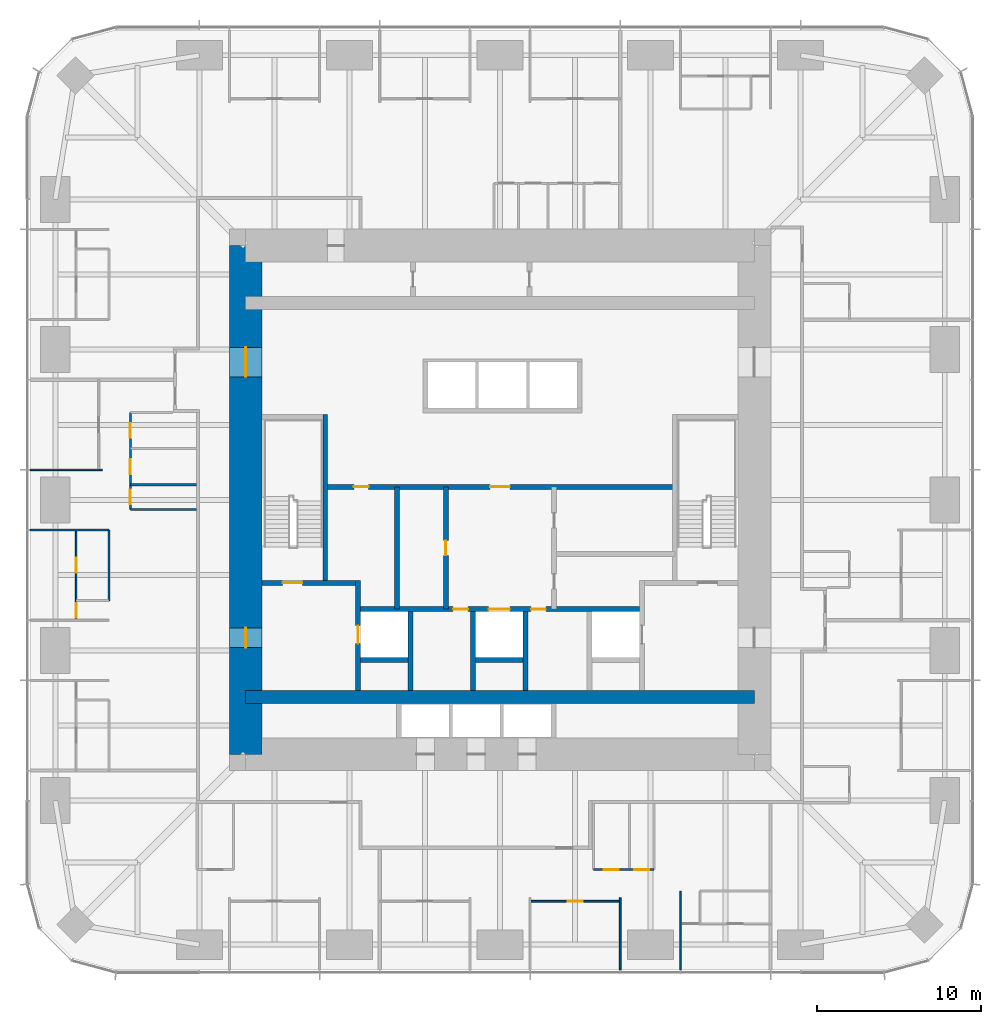
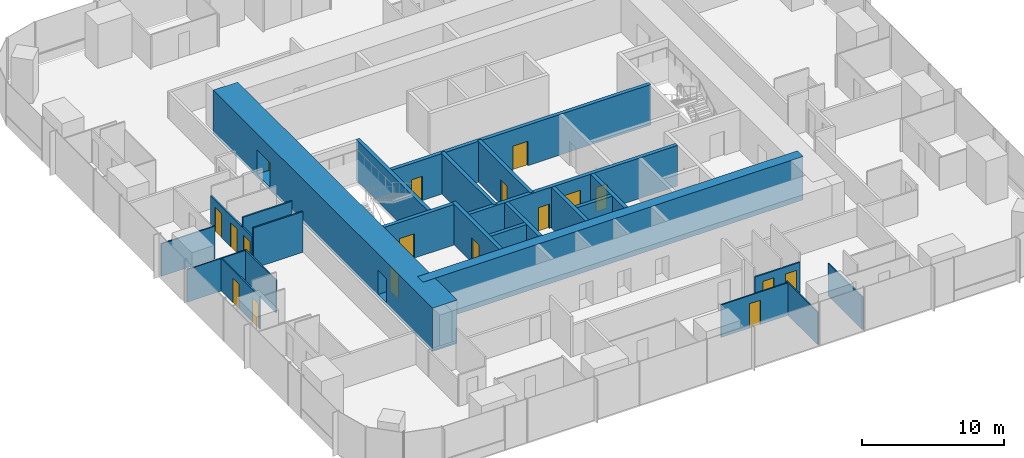
# One storey, part 9 of 13: 25 walls, 18 doors, 18 openings.
"""IFC4 building model written with IfcOpenShell, lengths in metres."""

from ifc_helpers import new_model, si_unit, direction, frame, frame_2d, origin, place, context, subcontext, project, spatial, rectangle, extrude, material, layer, layer_set, type_object, element, fill, save


model = new_model("IFC4")

# Units and contexts
model_context = context("Model", 3, precision=1e-05, world=origin(), true_north=direction((0.0, 1.0)))
body_context = subcontext(model_context, "Body", "Model", "MODEL_VIEW")
ifc_project = project(units=[si_unit("LENGTHUNIT", "METRE"), si_unit("AREAUNIT", "SQUARE_METRE"), si_unit("VOLUMEUNIT", "CUBIC_METRE"), si_unit("PLANEANGLEUNIT", "RADIAN"), si_unit("MASSUNIT", "GRAM", prefix="KILO")], contexts=[model_context])

# Site, building, storey
site_placement = place(None, origin())
site = spatial("IfcSite", under=ifc_project, at=site_placement, CompositionType="ELEMENT")
building_placement = place(site_placement, origin())
building = spatial("IfcBuilding", under=site, at=building_placement, Name="Khuree Lantern Residences", CompositionType="ELEMENT")
storey_placement = place(building_placement, frame((0.0, 0.0, 144.75)))
storey = spatial("IfcBuildingStorey", under=building, at=storey_placement, Name="L36", CompositionType="ELEMENT", Elevation=144.75)

# Wall, openings, doors
ifc_material_1 = material(Name="Moisture-resistant gypsum board on steel studs", Category="steel")
ifc_layer_1 = layer(ifc_material_1, 0.125)
ifc_layer_set_1 = layer_set([ifc_layer_1], Name="BATHROOM WALL BTW125")
wall_type_1 = type_object("IfcWallType", Name="BATHROOM WALL BTW125", PredefinedType="PARTITIONING", material=ifc_layer_set_1)
wall_1_placement = place(storey_placement, frame((-22.52978515625, 5.327880859375, 0.0), z_axis=(0.0, 0.0, 1.0), x_axis=(0.0, -1.0, 0.0)))
wall_1 = element("IfcWall", 1, at=wall_1_placement, inside=storey, type_object=wall_type_1, Name="L36 BATHROOM WALL 04", PredefinedType="PARTITIONING", context=body_context, shape_type="SweptSolid", body=[
    extrude(rectangle(XDim=5.89990234375, YDim=0.125, at=frame_2d((2.949951171875, 0.0))), origin(), (0.0, 0.0, 1.0), 2.699951171875),
])
opening_1_placement = place(wall_1_placement, frame((0.64990234375, 0.0, 0.0)))
opening_1 = element("IfcOpeningElement", 2, at=opening_1_placement, cuts=wall_1, Name="Opening 36-045", PredefinedType="OPENING", context=body_context, shape_type="SweptSolid", body=[
    extrude(rectangle(XDim=0.89990234375, YDim=2.10009765625, at=frame_2d((0.449951171875, 1.050048828125))), frame((0.0, 0.072509765625, 0.0), z_axis=(0.0, -1.0, 0.0), x_axis=(1.0, 0.0, 0.0)), (0.0, 0.0, 1.0), 0.14501953125),
])
opening_2_placement = place(wall_1_placement, frame((2.85009765625, 0.0, 0.0)))
opening_2 = element("IfcOpeningElement", 3, at=opening_2_placement, cuts=wall_1, Name="Opening 36-046", PredefinedType="OPENING", context=body_context, shape_type="SweptSolid", body=[
    extrude(rectangle(XDim=0.89990234375, YDim=2.10009765625, at=frame_2d((0.449951171875, 1.050048828125))), frame((0.0, 0.072509765625, 0.0), z_axis=(0.0, -1.0, 0.0), x_axis=(1.0, 0.0, 0.0)), (0.0, 0.0, 1.0), 0.14501953125),
])
opening_3_placement = place(wall_1_placement, frame((4.699951171875, 0.0, 0.0)))
opening_3 = element("IfcOpeningElement", 4, at=opening_3_placement, cuts=wall_1, Name="Opening 36-047", PredefinedType="OPENING", context=body_context, shape_type="SweptSolid", body=[
    extrude(rectangle(XDim=0.89990234375, YDim=2.10009765625, at=frame_2d((0.449951171875, 1.050048828125))), frame((0.0, 0.072509765625, 0.0), z_axis=(0.0, -1.0, 0.0), x_axis=(1.0, 0.0, 0.0)), (0.0, 0.0, 1.0), 0.14501953125),
])
ifc_material_2 = material(Name="Timber door leaf in hardwood frame", Category="wood")
door_type_1 = type_object("IfcDoorType", Name="BATHROOM DOOR 900X2100", OperationType="SINGLE_SWING_LEFT", PredefinedType="DOOR", material=ifc_material_2)
door_1_placement = place(opening_1_placement, origin())
door_1 = element("IfcDoor", 5, at=door_1_placement, inside=storey, type_object=door_type_1, Name="Bathroom door 36-045", OperationType="SINGLE_SWING_LEFT", OverallHeight=2.10009765625, OverallWidth=0.89990234375, PredefinedType="DOOR", context=body_context, shape_type="SweptSolid", body=[
    extrude(rectangle(XDim=0.89990234375, YDim=2.10009765625, at=frame_2d((0.449951171875, 1.050048828125))), frame((0.0, 0.02490234375, 0.0), z_axis=(0.0, -1.0, 0.0), x_axis=(1.0, 0.0, 0.0)), (0.0, 0.0, 1.0), 0.050048828125),
])
fill(opening_1, door_1)
door_2_placement = place(opening_2_placement, origin())
door_2 = element("IfcDoor", 6, at=door_2_placement, inside=storey, type_object=door_type_1, Name="Bathroom door 36-046", OperationType="SINGLE_SWING_LEFT", OverallHeight=2.10009765625, OverallWidth=0.89990234375, PredefinedType="DOOR", context=body_context, shape_type="SweptSolid", body=[
    extrude(rectangle(XDim=0.89990234375, YDim=2.10009765625, at=frame_2d((0.449951171875, 1.050048828125))), frame((0.0, 0.02490234375, 0.0), z_axis=(0.0, -1.0, 0.0), x_axis=(1.0, 0.0, 0.0)), (0.0, 0.0, 1.0), 0.050048828125),
])
fill(opening_2, door_2)
door_type_2 = type_object("IfcDoorType", Name="WC DOOR 900X2100", OperationType="SINGLE_SWING_LEFT", PredefinedType="DOOR", material=ifc_material_2)
door_3_placement = place(opening_3_placement, origin())
door_3 = element("IfcDoor", 7, at=door_3_placement, inside=storey, type_object=door_type_2, Name="WC door 36-047", OperationType="SINGLE_SWING_LEFT", OverallHeight=2.10009765625, OverallWidth=0.89990234375, PredefinedType="DOOR", context=body_context, shape_type="SweptSolid", body=[
    extrude(rectangle(XDim=0.89990234375, YDim=2.10009765625, at=frame_2d((0.449951171875, 1.050048828125))), frame((0.0, 0.02490234375, 0.0), z_axis=(0.0, -1.0, 0.0), x_axis=(1.0, 0.0, 0.0)), (0.0, 0.0, 1.0), 0.050048828125),
])
fill(opening_3, door_3)

# Walls
for number, where, z_axis, x_axis, name in (
    (8, (-18.5, 0.927978515625, 0.0), (0.0, 0.0, 1.0), (-1.0, 0.0, 0.0), "L36 BATHROOM WALL 04"),
    (9, (-18.5, -0.572021484375, 0.0), (0.0, 0.0, 1.0), (-1.0, 0.0, 0.0), "L36 BATHROOM WALL 04"),
):
    element("IfcWall", number, at=place(storey_placement, frame(where, z_axis=z_axis, x_axis=x_axis)), inside=storey, type_object=wall_type_1, Name=name, PredefinedType="PARTITIONING", context=body_context, shape_type="SweptSolid", body=[
        extrude(rectangle(XDim=4.02978515625, YDim=0.125, at=frame_2d((2.014892578125, 0.0))), origin(), (0.0, 0.0, 1.0), 3.5),
    ])

# Wall, openings, doors
wall_2_placement = place(storey_placement, frame((5.68359375, -22.52978515625, 0.0), z_axis=(0.0, 0.0, 1.0), x_axis=(1.0, 0.0, 0.0)))
wall_2 = element("IfcWall", 10, at=wall_2_placement, inside=storey, type_object=wall_type_1, Name="L36 BATHROOM WALL 06", PredefinedType="PARTITIONING", context=body_context, shape_type="SweptSolid", body=[
    extrude(rectangle(XDim=3.699951171875, YDim=0.125, at=frame_2d((1.85009765625, 0.0))), origin(), (0.0, 0.0, 1.0), 2.699951171875),
])
opening_4_placement = place(wall_2_placement, frame((0.64990234375, 0.0, 0.0)))
opening_4 = element("IfcOpeningElement", 11, at=opening_4_placement, cuts=wall_2, Name="Opening 36-056", PredefinedType="OPENING", context=body_context, shape_type="SweptSolid", body=[
    extrude(rectangle(XDim=0.89990234375, YDim=2.10009765625, at=frame_2d((0.449951171875, 1.050048828125))), frame((0.0, 0.072509765625, 0.0), z_axis=(0.0, -1.0, 0.0), x_axis=(1.0, 0.0, 0.0)), (0.0, 0.0, 1.0), 0.14501953125),
])
opening_5_placement = place(wall_2_placement, frame((2.5, 0.0, 0.0)))
opening_5 = element("IfcOpeningElement", 12, at=opening_5_placement, cuts=wall_2, Name="Opening 36-057", PredefinedType="OPENING", context=body_context, shape_type="SweptSolid", body=[
    extrude(rectangle(XDim=0.89990234375, YDim=2.10009765625, at=frame_2d((0.449951171875, 1.050048828125))), frame((0.0, 0.072509765625, 0.0), z_axis=(0.0, -1.0, 0.0), x_axis=(1.0, 0.0, 0.0)), (0.0, 0.0, 1.0), 0.14501953125),
])
door_4_placement = place(opening_4_placement, origin())
door_4 = element("IfcDoor", 13, at=door_4_placement, inside=storey, type_object=door_type_1, Name="Bathroom door 36-056", OperationType="SINGLE_SWING_LEFT", OverallHeight=2.10009765625, OverallWidth=0.89990234375, PredefinedType="DOOR", context=body_context, shape_type="SweptSolid", body=[
    extrude(rectangle(XDim=0.89990234375, YDim=2.10009765625, at=frame_2d((0.449951171875, 1.050048828125))), frame((0.0, 0.02490234375, 0.0), z_axis=(0.0, -1.0, 0.0), x_axis=(1.0, 0.0, 0.0)), (0.0, 0.0, 1.0), 0.050048828125),
])
fill(opening_4, door_4)
door_5_placement = place(opening_5_placement, origin())
door_5 = element("IfcDoor", 14, at=door_5_placement, inside=storey, type_object=door_type_2, Name="WC door 36-057", OperationType="SINGLE_SWING_LEFT", OverallHeight=2.10009765625, OverallWidth=0.89990234375, PredefinedType="DOOR", context=body_context, shape_type="SweptSolid", body=[
    extrude(rectangle(XDim=0.89990234375, YDim=2.10009765625, at=frame_2d((0.449951171875, 1.050048828125))), frame((0.0, 0.02490234375, 0.0), z_axis=(0.0, -1.0, 0.0), x_axis=(1.0, 0.0, 0.0)), (0.0, 0.0, 1.0), 0.050048828125),
])
fill(opening_5, door_5)

# Wall, opening, door
ifc_material_3 = material(Name="Dense concrete blockwork", Category="masonry")
ifc_layer_2 = layer(ifc_material_3, 0.300048828125)
ifc_layer_set_2 = layer_set([ifc_layer_2], Name="CORE PARTITION WALL CPW300 EI 120")
wall_type_2 = type_object("IfcWallType", Name="CORE PARTITION WALL CPW300 EI 120", PredefinedType="PARTITIONING", material=ifc_layer_set_2)
wall_3_placement = place(storey_placement, frame((-8.64990234375, -11.60009765625, 0.0), z_axis=(0.0, 0.0, 1.0), x_axis=(0.0, 1.0, 0.0)))
wall_3 = element("IfcWall", 15, at=wall_3_placement, inside=storey, type_object=wall_type_2, Name="L36 CORE WALL FL1W", PredefinedType="PARTITIONING", context=body_context, shape_type="SweptSolid", body=[
    extrude(rectangle(XDim=6.7001953125, YDim=0.300048828125, at=frame_2d((3.35009765625, 0.0))), origin(), (0.0, 0.0, 1.0), 3.5),
])
opening_6_placement = place(wall_3_placement, frame((2.85009765625, 0.0, 0.0)))
opening_6 = element("IfcOpeningElement", 16, at=opening_6_placement, cuts=wall_3, Name="Opening 36-007", PredefinedType="OPENING", context=body_context, shape_type="SweptSolid", body=[
    extrude(rectangle(XDim=1.10009765625, YDim=2.10009765625, at=frame_2d((0.550048828125, 1.050048828125))), frame((0.0, 0.16015625, 0.0), z_axis=(0.0, -1.0, 0.0), x_axis=(1.0, 0.0, 0.0)), (0.0, 0.0, 1.0), 0.320068359375),
])
ifc_material_4 = material(Name="Stainless steel lift landing door", Category="steel")
door_type_3 = type_object("IfcDoorType", Name="LIFT LANDING DOOR 1100X2100 E 120", OperationType="DOUBLE_DOOR_SLIDING", PredefinedType="DOOR", material=ifc_material_4)
door_6_placement = place(opening_6_placement, origin())
door_6 = element("IfcDoor", 17, at=door_6_placement, inside=storey, type_object=door_type_3, Name="Landing door FL1 36-007", OperationType="DOUBLE_DOOR_SLIDING", OverallHeight=2.10009765625, OverallWidth=1.10009765625, PredefinedType="DOOR", context=body_context, shape_type="SweptSolid", body=[
    extrude(rectangle(XDim=1.10009765625, YDim=2.10009765625, at=frame_2d((0.550048828125, 1.050048828125))), frame((0.0, 0.02490234375, 0.0), z_axis=(0.0, -1.0, 0.0), x_axis=(1.0, 0.0, 0.0)), (0.0, 0.0, 1.0), 0.050048828125),
])
fill(opening_6, door_6)

# Wall, openings, doors
wall_4_placement = place(storey_placement, frame((-8.5, -6.64990234375, 0.0), z_axis=(0.0, 0.0, 1.0), x_axis=(1.0, 0.0, 0.0)))
wall_4 = element("IfcWall", 18, at=wall_4_placement, inside=storey, type_object=wall_type_2, Name="L36 CORE WALL FLROW", PredefinedType="PARTITIONING", context=body_context, shape_type="SweptSolid", body=[
    extrude(rectangle(XDim=17.0, YDim=0.300048828125, at=frame_2d((8.5, 0.0))), origin(), (0.0, 0.0, 1.0), 3.5),
])
opening_7_placement = place(wall_4_placement, frame((7.800048828125, 0.0, 0.0)))
opening_7 = element("IfcOpeningElement", 19, at=opening_7_placement, cuts=wall_4, Name="Opening 36-012", PredefinedType="OPENING", context=body_context, shape_type="SweptSolid", body=[
    extrude(rectangle(XDim=1.300048828125, YDim=2.39990234375, at=frame_2d((0.64990234375, 1.199951171875))), frame((0.0, 0.16015625, 0.0), z_axis=(0.0, -1.0, 0.0), x_axis=(1.0, 0.0, 0.0)), (0.0, 0.0, 1.0), 0.320068359375),
])
opening_8_placement = place(wall_4_placement, frame((5.64990234375, 0.0, 0.0)))
opening_8 = element("IfcOpeningElement", 20, at=opening_8_placement, cuts=wall_4, Name="Opening 36-014", PredefinedType="OPENING", context=body_context, shape_type="SweptSolid", body=[
    extrude(rectangle(XDim=0.89990234375, YDim=2.10009765625, at=frame_2d((0.449951171875, 1.050048828125))), frame((0.0, 0.16015625, 0.0), z_axis=(0.0, -1.0, 0.0), x_axis=(1.0, 0.0, 0.0)), (0.0, 0.0, 1.0), 0.320068359375),
])
opening_9_placement = place(wall_4_placement, frame((10.39990234375, 0.0, 0.0)))
opening_9 = element("IfcOpeningElement", 21, at=opening_9_placement, cuts=wall_4, Name="Opening 36-015", PredefinedType="OPENING", context=body_context, shape_type="SweptSolid", body=[
    extrude(rectangle(XDim=0.89990234375, YDim=2.10009765625, at=frame_2d((0.449951171875, 1.050048828125))), frame((0.0, 0.16015625, 0.0), z_axis=(0.0, -1.0, 0.0), x_axis=(1.0, 0.0, 0.0)), (0.0, 0.0, 1.0), 0.320068359375),
])
ifc_material_5 = material(Name="Steel door leaf in steel frame", Category="steel")
door_type_4 = type_object("IfcDoorType", Name="DOOR 900X2100 EI 60", OperationType="SINGLE_SWING_LEFT", PredefinedType="DOOR", material=ifc_material_5)
door_7_placement = place(opening_8_placement, origin())
door_7 = element("IfcDoor", 22, at=door_7_placement, inside=storey, type_object=door_type_4, Name="Refuse chute room door 36-014", OperationType="SINGLE_SWING_LEFT", OverallHeight=2.10009765625, OverallWidth=0.89990234375, PredefinedType="DOOR", context=body_context, shape_type="SweptSolid", body=[
    extrude(rectangle(XDim=0.89990234375, YDim=2.10009765625, at=frame_2d((0.449951171875, 1.050048828125))), frame((0.0, 0.02490234375, 0.0), z_axis=(0.0, -1.0, 0.0), x_axis=(1.0, 0.0, 0.0)), (0.0, 0.0, 1.0), 0.050048828125),
])
fill(opening_8, door_7)
door_type_5 = type_object("IfcDoorType", Name="DOOR 900X2100 EI 60 RIGHT HAND", OperationType="SINGLE_SWING_RIGHT", PredefinedType="DOOR", material=ifc_material_5)
door_8_placement = place(opening_9_placement, origin())
door_8 = element("IfcDoor", 23, at=door_8_placement, inside=storey, type_object=door_type_5, Name="Electrical and plumbing riser door 36-015", OperationType="SINGLE_SWING_RIGHT", OverallHeight=2.10009765625, OverallWidth=0.89990234375, PredefinedType="DOOR", context=body_context, shape_type="SweptSolid", body=[
    extrude(rectangle(XDim=0.89990234375, YDim=2.10009765625, at=frame_2d((0.449951171875, 1.050048828125))), frame((0.0, 0.02490234375, 0.0), z_axis=(0.0, -1.0, 0.0), x_axis=(1.0, 0.0, 0.0)), (0.0, 0.0, 1.0), 0.050048828125),
])
fill(opening_9, door_8)
door_type_6 = type_object("IfcDoorType", Name="LIFT LANDING DOOR 1300X2400 E 60", OperationType="DOUBLE_DOOR_SLIDING", PredefinedType="DOOR", material=ifc_material_4)
door_9_placement = place(opening_7_placement, origin())
door_9 = element("IfcDoor", 24, at=door_9_placement, inside=storey, type_object=door_type_6, Name="Landing door SL1 36-012", OperationType="DOUBLE_DOOR_SLIDING", OverallHeight=2.39990234375, OverallWidth=1.300048828125, PredefinedType="DOOR", context=body_context, shape_type="SweptSolid", body=[
    extrude(rectangle(XDim=1.300048828125, YDim=2.39990234375, at=frame_2d((0.64990234375, 1.199951171875))), frame((0.0, 0.02490234375, 0.0), z_axis=(0.0, -1.0, 0.0), x_axis=(1.0, 0.0, 0.0)), (0.0, 0.0, 1.0), 0.050048828125),
])
fill(opening_7, door_9)

# Walls
for number, where, z_axis, x_axis, name in (
    (25, (-5.449951171875, -11.60009765625, 0.0), (0.0, 0.0, 1.0), (0.0, 1.0, 0.0), "L36 CORE WALL FL1E"),
    (26, (-1.64990234375, -11.60009765625, 0.0), (0.0, 0.0, 1.0), (0.0, 1.0, 0.0), "L36 CORE WALL SL1W"),
    (27, (1.550048828125, -11.60009765625, 0.0), (0.0, 0.0, 1.0), (0.0, 1.0, 0.0), "L36 CORE WALL SL1E"),
):
    element("IfcWall", number, at=place(storey_placement, frame(where, z_axis=z_axis, x_axis=x_axis)), inside=storey, type_object=wall_type_2, Name=name, PredefinedType="PARTITIONING", context=body_context, shape_type="SweptSolid", body=[
        extrude(rectangle(XDim=4.800048828125, YDim=0.300048828125, at=frame_2d((2.39990234375, 0.0))), origin(), (0.0, 0.0, 1.0), 3.5),
    ])
for number, where, z_axis, x_axis, name in (
    (28, (-8.5, -9.75, 0.0), (0.0, 0.0, 1.0), (1.0, 0.0, 0.0), "L36 CORE WALL FL1S"),
    (29, (-1.5, -9.75, 0.0), (0.0, 0.0, 1.0), (1.0, 0.0, 0.0), "L36 CORE WALL SL1S"),
):
    element("IfcWall", number, at=place(storey_placement, frame(where, z_axis=z_axis, x_axis=x_axis)), inside=storey, type_object=wall_type_2, Name=name, PredefinedType="PARTITIONING", context=body_context, shape_type="SweptSolid", body=[
        extrude(rectangle(XDim=2.89990234375, YDim=0.300048828125, at=frame_2d((1.449951171875, 0.0))), origin(), (0.0, 0.0, 1.0), 3.5),
    ])

# Wall, openings, doors
wall_5_placement = place(storey_placement, frame((-10.64990234375, 0.800048828125, 0.0), z_axis=(0.0, 0.0, 1.0), x_axis=(1.0, 0.0, 0.0)))
wall_5 = element("IfcWall", 30, at=wall_5_placement, inside=storey, type_object=wall_type_2, Name="L36 CORE WALL LLS", PredefinedType="PARTITIONING", context=body_context, shape_type="SweptSolid", body=[
    extrude(rectangle(XDim=21.2998046875, YDim=0.300048828125, at=frame_2d((10.64990234375, 0.0))), origin(), (0.0, 0.0, 1.0), 3.5),
])
opening_10_placement = place(wall_5_placement, frame((10.050048828125, 0.0, 0.0)))
opening_10 = element("IfcOpeningElement", 31, at=opening_10_placement, cuts=wall_5, Name="Opening 36-013", PredefinedType="OPENING", context=body_context, shape_type="SweptSolid", body=[
    extrude(rectangle(XDim=1.199951171875, YDim=2.10009765625, at=frame_2d((0.60009765625, 1.050048828125))), frame((0.0, 0.16015625, 0.0), z_axis=(0.0, -1.0, 0.0), x_axis=(1.0, 0.0, 0.0)), (0.0, 0.0, 1.0), 0.320068359375),
])
opening_11_placement = place(wall_5_placement, frame((1.739990234375, 0.0, 0.0)))
opening_11 = element("IfcOpeningElement", 32, at=opening_11_placement, cuts=wall_5, Name="Opening 36-017", PredefinedType="OPENING", context=body_context, shape_type="SweptSolid", body=[
    extrude(rectangle(XDim=0.89990234375, YDim=2.10009765625, at=frame_2d((0.449951171875, 1.050048828125))), frame((0.0, 0.16015625, 0.0), z_axis=(0.0, -1.0, 0.0), x_axis=(1.0, 0.0, 0.0)), (0.0, 0.0, 1.0), 0.320068359375),
])
door_type_7 = type_object("IfcDoorType", Name="DOOR 1200X2100 EI 60", OperationType="SINGLE_SWING_LEFT", PredefinedType="DOOR", material=ifc_material_5)
door_10_placement = place(opening_10_placement, origin())
door_10 = element("IfcDoor", 33, at=door_10_placement, inside=storey, type_object=door_type_7, Name="Service lift lobby door 36-013", OperationType="SINGLE_SWING_LEFT", OverallHeight=2.10009765625, OverallWidth=1.199951171875, PredefinedType="DOOR", context=body_context, shape_type="SweptSolid", body=[
    extrude(rectangle(XDim=1.199951171875, YDim=2.10009765625, at=frame_2d((0.60009765625, 1.050048828125))), frame((0.0, 0.02490234375, 0.0), z_axis=(0.0, -1.0, 0.0), x_axis=(1.0, 0.0, 0.0)), (0.0, 0.0, 1.0), 0.050048828125),
])
fill(opening_10, door_10)
door_type_8 = type_object("IfcDoorType", Name="DOOR 900X2100", OperationType="SINGLE_SWING_LEFT", PredefinedType="DOOR", material=ifc_material_2)
door_11_placement = place(opening_11_placement, origin())
door_11 = element("IfcDoor", 34, at=door_11_placement, inside=storey, type_object=door_type_8, Name="Residents' store door 36-017", OperationType="SINGLE_SWING_LEFT", OverallHeight=2.10009765625, OverallWidth=0.89990234375, PredefinedType="DOOR", context=body_context, shape_type="SweptSolid", body=[
    extrude(rectangle(XDim=0.89990234375, YDim=2.10009765625, at=frame_2d((0.449951171875, 1.050048828125))), frame((0.0, 0.02490234375, 0.0), z_axis=(0.0, -1.0, 0.0), x_axis=(1.0, 0.0, 0.0)), (0.0, 0.0, 1.0), 0.050048828125),
])
fill(opening_11, door_11)

# Wall, opening, door
wall_6_placement = place(storey_placement, frame((-3.300048828125, -6.64990234375, 0.0), z_axis=(0.0, 0.0, 1.0), x_axis=(0.0, 1.0, 0.0)))
wall_6 = element("IfcWall", 35, at=wall_6_placement, inside=storey, type_object=wall_type_2, Name="L36 CORE WALL SVW", PredefinedType="PARTITIONING", context=body_context, shape_type="SweptSolid", body=[
    extrude(rectangle(XDim=7.449951171875, YDim=0.300048828125, at=frame_2d((3.72509765625, 0.0))), origin(), (0.0, 0.0, 1.0), 3.5),
])
opening_12_placement = place(wall_6_placement, frame((3.27490234375, 0.0, 0.0)))
opening_12 = element("IfcOpeningElement", 36, at=opening_12_placement, cuts=wall_6, Name="Opening 36-016", PredefinedType="OPENING", context=body_context, shape_type="SweptSolid", body=[
    extrude(rectangle(XDim=0.89990234375, YDim=2.10009765625, at=frame_2d((0.449951171875, 1.050048828125))), frame((0.0, 0.16015625, 0.0), z_axis=(0.0, -1.0, 0.0), x_axis=(1.0, 0.0, 0.0)), (0.0, 0.0, 1.0), 0.320068359375),
])
door_12_placement = place(opening_12_placement, origin())
door_12 = element("IfcDoor", 37, at=door_12_placement, inside=storey, type_object=door_type_8, Name="Parcel room door 36-016", OperationType="SINGLE_SWING_LEFT", OverallHeight=2.10009765625, OverallWidth=0.89990234375, PredefinedType="DOOR", context=body_context, shape_type="SweptSolid", body=[
    extrude(rectangle(XDim=0.89990234375, YDim=2.10009765625, at=frame_2d((0.449951171875, 1.050048828125))), frame((0.0, 0.02490234375, 0.0), z_axis=(0.0, -1.0, 0.0), x_axis=(1.0, 0.0, 0.0)), (0.0, 0.0, 1.0), 0.050048828125),
])
fill(opening_12, door_12)

# Wall
wall_7_placement = place(storey_placement, frame((-6.27001953125, -6.64990234375, 0.0), z_axis=(0.0, 0.0, 1.0), x_axis=(0.0, 1.0, 0.0)))
element("IfcWall", 38, at=wall_7_placement, inside=storey, type_object=wall_type_2, Name="L36 CORE WALL WV", PredefinedType="PARTITIONING", context=body_context, shape_type="SweptSolid", body=[
    extrude(rectangle(XDim=7.449951171875, YDim=0.300048828125, at=frame_2d((3.72509765625, 0.0))), origin(), (0.0, 0.0, 1.0), 3.5),
])

# Wall, openings, doors
ifc_material_6 = material(Name="Concrete C70/85", Category="concrete")
ifc_layer_3 = layer(ifc_material_6, 2.0)
ifc_layer_set_3 = layer_set([ifc_layer_3], Name="CW2000-C70 CORE WALL C70 2000")
wall_type_3 = type_object("IfcWallType", Name="CW2000-C70 CORE WALL C70 2000", PredefinedType="SHEAR", material=ifc_layer_set_3)
wall_8_placement = place(storey_placement, frame((-15.5, -15.5, -0.25), z_axis=(0.0, 0.0, 1.0), x_axis=(0.0, 1.0, 0.0)))
wall_8 = element("IfcWall", 39, at=wall_8_placement, inside=storey, type_object=wall_type_3, Name="Core wall W", PredefinedType="SHEAR", context=body_context, shape_type="SweptSolid", body=[
    extrude(rectangle(XDim=31.0, YDim=2.0, at=frame_2d((15.5, 0.0))), origin(), (0.0, 0.0, 1.0), 3.75),
])
opening_13_placement = place(wall_8_placement, frame((6.5, 0.0, 0.25)))
opening_13 = element("IfcOpeningElement", 40, at=opening_13_placement, cuts=wall_8, Name="Opening 36-002", PredefinedType="OPENING", context=body_context, shape_type="SweptSolid", body=[
    extrude(rectangle(XDim=1.199951171875, YDim=2.10009765625, at=frame_2d((0.60009765625, 1.050048828125))), frame((0.0, 1.010009765625, 0.0), z_axis=(0.0, -1.0, 0.0), x_axis=(1.0, 0.0, 0.0)), (0.0, 0.0, 1.0), 2.02001953125),
])
opening_14_placement = place(wall_8_placement, frame((23.0, 0.0, 0.25)))
opening_14 = element("IfcOpeningElement", 41, at=opening_14_placement, cuts=wall_8, Name="Opening 36-003", PredefinedType="OPENING", context=body_context, shape_type="SweptSolid", body=[
    extrude(rectangle(XDim=1.800048828125, YDim=2.10009765625, at=frame_2d((0.89990234375, 1.050048828125))), frame((0.0, 1.010009765625, 0.0), z_axis=(0.0, -1.0, 0.0), x_axis=(1.0, 0.0, 0.0)), (0.0, 0.0, 1.0), 2.02001953125),
])
door_type_9 = type_object("IfcDoorType", Name="LOBBY DOOR 1200X2100 EI 120", OperationType="SINGLE_SWING_LEFT", PredefinedType="DOOR", material=ifc_material_5)
door_13_placement = place(opening_13_placement, origin())
door_13 = element("IfcDoor", 42, at=door_13_placement, inside=storey, type_object=door_type_9, Name="Firefighting lobby door 36-002", OperationType="SINGLE_SWING_LEFT", OverallHeight=2.10009765625, OverallWidth=1.199951171875, PredefinedType="DOOR", context=body_context, shape_type="SweptSolid", body=[
    extrude(rectangle(XDim=1.199951171875, YDim=2.10009765625, at=frame_2d((0.60009765625, 1.050048828125))), frame((0.0, 0.02490234375, 0.0), z_axis=(0.0, -1.0, 0.0), x_axis=(1.0, 0.0, 0.0)), (0.0, 0.0, 1.0), 0.050048828125),
])
fill(opening_13, door_13)
door_type_10 = type_object("IfcDoorType", Name="LOBBY DOUBLE DOOR 1800X2100 EI 60", OperationType="DOUBLE_DOOR_SINGLE_SWING", PredefinedType="DOOR", material=ifc_material_5)
door_14_placement = place(opening_14_placement, origin())
door_14 = element("IfcDoor", 43, at=door_14_placement, inside=storey, type_object=door_type_10, Name="Lift lobby door 36-003", OperationType="DOUBLE_DOOR_SINGLE_SWING", OverallHeight=2.10009765625, OverallWidth=1.800048828125, PredefinedType="DOOR", context=body_context, shape_type="SweptSolid", body=[
    extrude(rectangle(XDim=1.800048828125, YDim=2.10009765625, at=frame_2d((0.89990234375, 1.050048828125))), frame((0.0, 0.02490234375, 0.0), z_axis=(0.0, -1.0, 0.0), x_axis=(1.0, 0.0, 0.0)), (0.0, 0.0, 1.0), 0.050048828125),
])
fill(opening_14, door_14)

# Walls
ifc_material_7 = material(Name="Gypsum board on steel studs", Category="steel")
ifc_layer_4 = layer(ifc_material_7, 0.10009765625)
ifc_layer_set_4 = layer_set([ifc_layer_4], Name="PARTITION PT100")
wall_type_4 = type_object("IfcWallType", Name="PARTITION PT100", PredefinedType="PARTITIONING", material=ifc_layer_set_4)
wall_9_placement = place(storey_placement, frame((-24.25, 1.83203125, 0.0), z_axis=(0.0, 0.0, 1.0), x_axis=(-1.0, 0.0, 0.0)))
element("IfcWall", 44, at=wall_9_placement, inside=storey, type_object=wall_type_4, Name="L36 PARTITION 04", PredefinedType="PARTITIONING", context=body_context, shape_type="SweptSolid", body=[
    extrude(rectangle(XDim=4.39990234375, YDim=0.10009765625, at=frame_2d((2.199951171875, 0.0))), origin(), (0.0, 0.0, 1.0), 2.81005859375),
])
wall_10_placement = place(storey_placement, frame((-23.829833984375, -1.83203125, 0.0), z_axis=(0.0, 0.0, 1.0), x_axis=(-1.0, 0.0, 0.0)))
element("IfcWall", 45, at=wall_10_placement, inside=storey, type_object=wall_type_4, Name="L36 PARTITION 04", PredefinedType="PARTITIONING", context=body_context, shape_type="SweptSolid", body=[
    extrude(rectangle(XDim=4.820068359375, YDim=0.10009765625, at=frame_2d((2.41015625, 0.0))), origin(), (0.0, 0.0, 1.0), 2.81005859375),
])
wall_11_placement = place(storey_placement, frame((7.327880859375, -24.25, 0.0), z_axis=(0.0, 0.0, 1.0), x_axis=(0.0, -1.0, 0.0)))
element("IfcWall", 46, at=wall_11_placement, inside=storey, type_object=wall_type_4, Name="L36 PARTITION 06", PredefinedType="PARTITIONING", context=body_context, shape_type="SweptSolid", body=[
    extrude(rectangle(XDim=4.39990234375, YDim=0.10009765625, at=frame_2d((2.199951171875, 0.0))), origin(), (0.0, 0.0, 1.0), 2.81005859375),
])
wall_12_placement = place(storey_placement, frame((10.991943359375, -23.829833984375, 0.0), z_axis=(0.0, 0.0, 1.0), x_axis=(0.0, -1.0, 0.0)))
element("IfcWall", 47, at=wall_12_placement, inside=storey, type_object=wall_type_4, Name="L36 PARTITION 06", PredefinedType="PARTITIONING", context=body_context, shape_type="SweptSolid", body=[
    extrude(rectangle(XDim=4.820068359375, YDim=0.10009765625, at=frame_2d((2.41015625, 0.0))), origin(), (0.0, 0.0, 1.0), 2.81005859375),
])

# Wall, openings, doors
wall_13_placement = place(storey_placement, frame((-25.829833984375, -1.83203125, 0.0), z_axis=(0.0, 0.0, 1.0), x_axis=(0.0, -1.0, 0.0)))
wall_13 = element("IfcWall", 48, at=wall_13_placement, inside=storey, type_object=wall_type_4, Name="L36 PARTITION 04", PredefinedType="PARTITIONING", context=body_context, shape_type="SweptSolid", body=[
    extrude(rectangle(XDim=5.495849609375, YDim=0.10009765625, at=frame_2d((2.748046875, 0.0))), origin(), (0.0, 0.0, 1.0), 2.81005859375),
])
opening_15_placement = place(wall_13_placement, frame((4.446044921875, 0.0, 0.0)))
opening_15 = element("IfcOpeningElement", 49, at=opening_15_placement, cuts=wall_13, Name="Opening 36-041", PredefinedType="OPENING", context=body_context, shape_type="SweptSolid", body=[
    extrude(rectangle(XDim=0.89990234375, YDim=2.10009765625, at=frame_2d((0.449951171875, 1.050048828125))), frame((0.0, 0.06005859375, 0.0), z_axis=(0.0, -1.0, 0.0), x_axis=(1.0, 0.0, 0.0)), (0.0, 0.0, 1.0), 0.1201171875),
])
opening_16_placement = place(wall_13_placement, frame((1.697998046875, 0.0, 0.0)))
opening_16 = element("IfcOpeningElement", 50, at=opening_16_placement, cuts=wall_13, Name="Opening 36-042", PredefinedType="OPENING", context=body_context, shape_type="SweptSolid", body=[
    extrude(rectangle(XDim=0.89990234375, YDim=2.10009765625, at=frame_2d((0.449951171875, 1.050048828125))), frame((0.0, 0.06005859375, 0.0), z_axis=(0.0, -1.0, 0.0), x_axis=(1.0, 0.0, 0.0)), (0.0, 0.0, 1.0), 0.1201171875),
])
door_type_11 = type_object("IfcDoorType", Name="BEDROOM DOOR 900X2100", OperationType="SINGLE_SWING_LEFT", PredefinedType="DOOR", material=ifc_material_2)
door_15_placement = place(opening_15_placement, origin())
door_15 = element("IfcDoor", 51, at=door_15_placement, inside=storey, type_object=door_type_11, Name="Bedroom door 36-041", OperationType="SINGLE_SWING_LEFT", OverallHeight=2.10009765625, OverallWidth=0.89990234375, PredefinedType="DOOR", context=body_context, shape_type="SweptSolid", body=[
    extrude(rectangle(XDim=0.89990234375, YDim=2.10009765625, at=frame_2d((0.449951171875, 1.050048828125))), frame((0.0, 0.02490234375, 0.0), z_axis=(0.0, -1.0, 0.0), x_axis=(1.0, 0.0, 0.0)), (0.0, 0.0, 1.0), 0.050048828125),
])
fill(opening_15, door_15)
door_16_placement = place(opening_16_placement, origin())
door_16 = element("IfcDoor", 52, at=door_16_placement, inside=storey, type_object=door_type_8, Name="Wardrobe door 36-042", OperationType="SINGLE_SWING_LEFT", OverallHeight=2.10009765625, OverallWidth=0.89990234375, PredefinedType="DOOR", context=body_context, shape_type="SweptSolid", body=[
    extrude(rectangle(XDim=0.89990234375, YDim=2.10009765625, at=frame_2d((0.449951171875, 1.050048828125))), frame((0.0, 0.02490234375, 0.0), z_axis=(0.0, -1.0, 0.0), x_axis=(1.0, 0.0, 0.0)), (0.0, 0.0, 1.0), 0.050048828125),
])
fill(opening_16, door_16)

# Wall
wall_14_placement = place(storey_placement, frame((-23.829833984375, -1.83203125, 0.0), z_axis=(0.0, 0.0, 1.0), x_axis=(0.0, -1.0, 0.0)))
element("IfcWall", 53, at=wall_14_placement, inside=storey, type_object=wall_type_4, Name="L36 PARTITION 04", PredefinedType="PARTITIONING", context=body_context, shape_type="SweptSolid", body=[
    extrude(rectangle(XDim=4.2958984375, YDim=0.10009765625, at=frame_2d((2.14794921875, 0.0))), origin(), (0.0, 0.0, 1.0), 2.81005859375),
])

# Wall, opening, door
wall_15_placement = place(storey_placement, frame((1.83203125, -24.449951171875, 0.0), z_axis=(0.0, 0.0, 1.0), x_axis=(1.0, 0.0, 0.0)))
wall_15 = element("IfcWall", 54, at=wall_15_placement, inside=storey, type_object=wall_type_4, Name="L36 PARTITION 06", PredefinedType="PARTITIONING", context=body_context, shape_type="SweptSolid", body=[
    extrude(rectangle(XDim=5.495849609375, YDim=0.10009765625, at=frame_2d((2.748046875, 0.0))), origin(), (0.0, 0.0, 1.0), 2.81005859375),
])
opening_17_placement = place(wall_15_placement, frame((2.298095703125, 0.0, 0.0)))
opening_17 = element("IfcOpeningElement", 55, at=opening_17_placement, cuts=wall_15, Name="Opening 36-053", PredefinedType="OPENING", context=body_context, shape_type="SweptSolid", body=[
    extrude(rectangle(XDim=0.89990234375, YDim=2.10009765625, at=frame_2d((0.449951171875, 1.050048828125))), frame((0.0, 0.06005859375, 0.0), z_axis=(0.0, -1.0, 0.0), x_axis=(1.0, 0.0, 0.0)), (0.0, 0.0, 1.0), 0.1201171875),
])
door_17_placement = place(opening_17_placement, origin())
door_17 = element("IfcDoor", 56, at=door_17_placement, inside=storey, type_object=door_type_11, Name="Bedroom door 36-053", OperationType="SINGLE_SWING_LEFT", OverallHeight=2.10009765625, OverallWidth=0.89990234375, PredefinedType="DOOR", context=body_context, shape_type="SweptSolid", body=[
    extrude(rectangle(XDim=0.89990234375, YDim=2.10009765625, at=frame_2d((0.449951171875, 1.050048828125))), frame((0.0, 0.02490234375, 0.0), z_axis=(0.0, -1.0, 0.0), x_axis=(1.0, 0.0, 0.0)), (0.0, 0.0, 1.0), 0.050048828125),
])
fill(opening_17, door_17)

# Walls
ifc_layer_5 = layer(ifc_material_6, 0.800048828125)
ifc_layer_set_5 = layer_set([ifc_layer_5], Name="SP800-C70 CORE SPINE WALL C70 800")
wall_type_5 = type_object("IfcWallType", Name="SP800-C70 CORE SPINE WALL C70 800", PredefinedType="SHEAR", material=ifc_layer_set_5)
wall_16_placement = place(storey_placement, frame((-15.5, -12.0, -0.25), z_axis=(0.0, 0.0, 1.0), x_axis=(1.0, 0.0, 0.0)))
element("IfcWall", 57, at=wall_16_placement, inside=storey, type_object=wall_type_5, Name="Core wall SPS", PredefinedType="SHEAR", context=body_context, shape_type="SweptSolid", body=[
    extrude(rectangle(XDim=31.0, YDim=0.800048828125, at=frame_2d((15.5, 0.0))), origin(), (0.0, 0.0, 1.0), 3.75),
])
ifc_material_8 = material(Name="Concrete C50/60", Category="concrete")
ifc_layer_6 = layer(ifc_material_8, 0.300048828125)
ifc_layer_set_6 = layer_set([ifc_layer_6], Name="STAIR WALL SRW300 C50/60 REI 240")
wall_type_6 = type_object("IfcWallType", Name="STAIR WALL SRW300 C50/60 REI 240", PredefinedType="SOLIDWALL", material=ifc_layer_set_6)
wall_17_placement = place(storey_placement, frame((-10.64990234375, -4.89990234375, 0.0), z_axis=(0.0, 0.0, 1.0), x_axis=(0.0, 1.0, 0.0)))
element("IfcWall", 58, at=wall_17_placement, inside=storey, type_object=wall_type_6, Name="L36 STAIR WALL ST1E", PredefinedType="SOLIDWALL", context=body_context, shape_type="SweptSolid", body=[
    extrude(rectangle(XDim=10.099853515625, YDim=0.300048828125, at=frame_2d((5.0498046875, 0.0))), origin(), (0.0, 0.0, 1.0), 3.5),
])

# Wall, opening, door
wall_18_placement = place(storey_placement, frame((-14.5, -5.050048828125, 0.0), z_axis=(0.0, 0.0, 1.0), x_axis=(1.0, 0.0, 0.0)))
wall_18 = element("IfcWall", 59, at=wall_18_placement, inside=storey, type_object=wall_type_6, Name="L36 STAIR WALL ST1S", PredefinedType="SOLIDWALL", context=body_context, shape_type="SweptSolid", body=[
    extrude(rectangle(XDim=5.699951171875, YDim=0.300048828125, at=frame_2d((2.85009765625, 0.0))), origin(), (0.0, 0.0, 1.0), 3.5),
])
opening_18_placement = place(wall_18_placement, frame((1.25, 0.0, 0.0)))
opening_18 = element("IfcOpeningElement", 60, at=opening_18_placement, cuts=wall_18, Name="Opening 36-001", PredefinedType="OPENING", context=body_context, shape_type="SweptSolid", body=[
    extrude(rectangle(XDim=1.199951171875, YDim=2.10009765625, at=frame_2d((0.60009765625, 1.050048828125))), frame((0.0, 0.16015625, 0.0), z_axis=(0.0, -1.0, 0.0), x_axis=(1.0, 0.0, 0.0)), (0.0, 0.0, 1.0), 0.320068359375),
])
door_type_12 = type_object("IfcDoorType", Name="STAIR DOOR 1200X2100 EI 120", OperationType="SINGLE_SWING_LEFT", PredefinedType="DOOR", material=ifc_material_5)
door_18_placement = place(opening_18_placement, origin())
door_18 = element("IfcDoor", 61, at=door_18_placement, inside=storey, type_object=door_type_12, Name="Stair ST1 door 36-001", OperationType="SINGLE_SWING_LEFT", OverallHeight=2.10009765625, OverallWidth=1.199951171875, PredefinedType="DOOR", context=body_context, shape_type="SweptSolid", body=[
    extrude(rectangle(XDim=1.199951171875, YDim=2.10009765625, at=frame_2d((0.60009765625, 1.050048828125))), frame((0.0, 0.02490234375, 0.0), z_axis=(0.0, -1.0, 0.0), x_axis=(1.0, 0.0, 0.0)), (0.0, 0.0, 1.0), 0.050048828125),
])
fill(opening_18, door_18)

save(model, "model.ifc")
